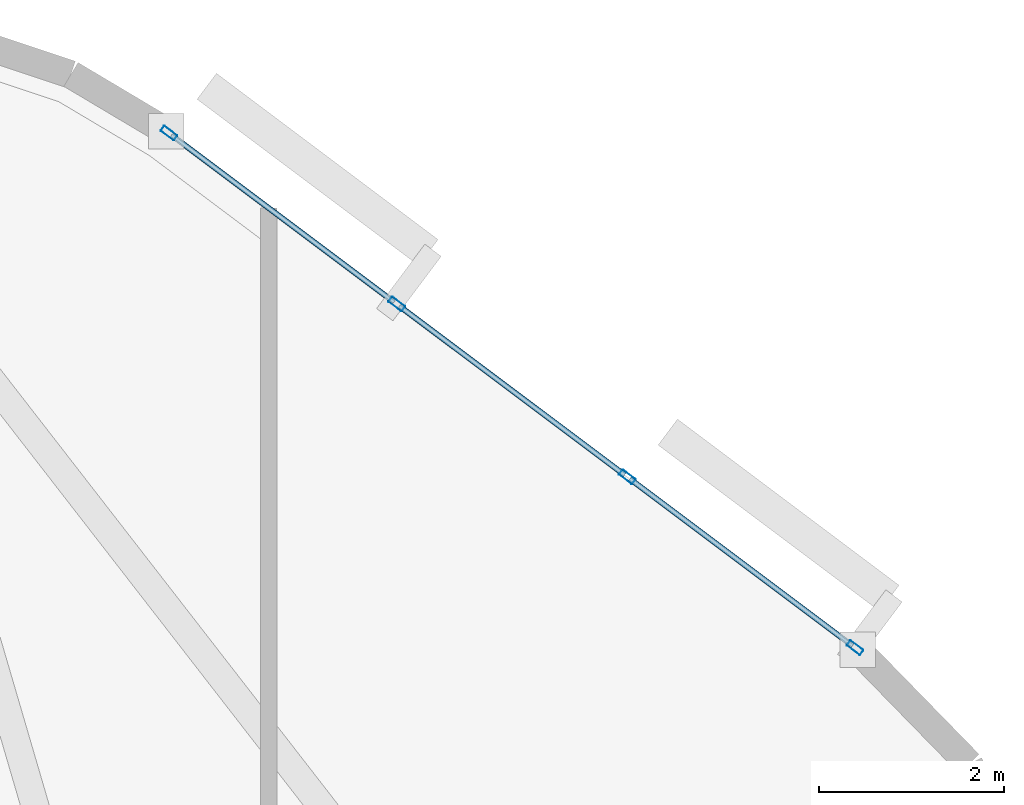
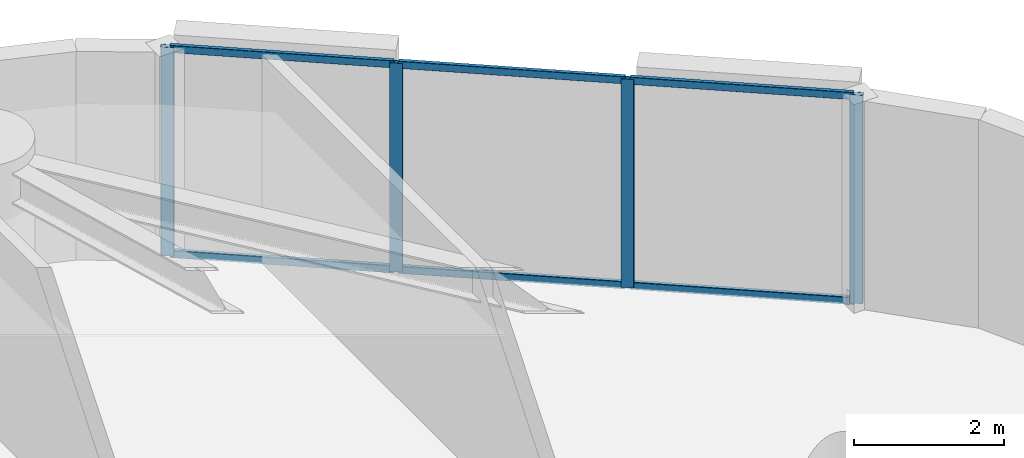
# One storey, part 8 of 16: 10 members, 1 element without a shape of its own.
"""IFC4 building model written with IfcOpenShell, lengths in metres."""

from ifc_helpers import new_model, si_unit, direction, frame, origin, origin_2d, place, context, subcontext, project, spatial, hollow_rectangle, extrude, material, layer, layer_set, material_profile, profile_set, type_object, element, aggregate, save


model = new_model("IFC4")

# Units and contexts
model_context = context("Model", 3, precision=1e-05, world=origin(), true_north=direction((0.0, 1.0)))
body_context = subcontext(model_context, "Body", "Model", "MODEL_VIEW")
ifc_project = project(units=[si_unit("LENGTHUNIT", "METRE"), si_unit("AREAUNIT", "SQUARE_METRE"), si_unit("VOLUMEUNIT", "CUBIC_METRE"), si_unit("PLANEANGLEUNIT", "RADIAN"), si_unit("MASSUNIT", "GRAM", prefix="KILO")], contexts=[model_context])

# Site, building, storey
site_placement = place(None, origin())
site = spatial("IfcSite", under=ifc_project, at=site_placement, CompositionType="ELEMENT")
building_placement = place(site_placement, origin())
building = spatial("IfcBuilding", under=site, at=building_placement, Name="An Khanh Terracotta Commons", CompositionType="ELEMENT")
storey_placement = place(building_placement, frame((0.0, 0.0, 111.5)))
storey = spatial("IfcBuildingStorey", under=building, at=storey_placement, Name="L29", CompositionType="ELEMENT", Elevation=111.5)

# Curtain wall, members
ifc_material = material(Name="Anodised Aluminium 6063-T6", Category="aluminium")
ifc_layer = layer(ifc_material, 0.199951171875, Name="Anodised Aluminium 6063-T6")
ifc_layer_set = layer_set([ifc_layer], Name="Anodised Aluminium 6063-T6")
curtain_wall_type = type_object("IfcCurtainWallType", Name="CW-SYS-02", PredefinedType="USERDEFINED", material=ifc_layer_set)
curtain_wall_placement = place(storey_placement, origin())
curtain_wall = element("IfcCurtainWall", 1, at=curtain_wall_placement, inside=storey, type_object=curtain_wall_type, Name="L29 CW-02 Unitised Curtain Wall CW-L29-16", ObjectType="UNITISED CURTAIN WALL", PredefinedType="USERDEFINED")
ifc_material_profile_1 = material_profile(ifc_material, hollow_rectangle(XDim=0.070068359375, YDim=0.179931640625, WallThickness=0.00390625, InnerFilletRadius=0.00390625, OuterFilletRadius=0.008056640625, at=origin_2d()), Name="RHS180x70x4")
ifc_profile_set_1 = profile_set([ifc_material_profile_1], Name="Anodised Aluminium 6063-T6")
member_type_1 = type_object("IfcMemberType", Name="CWM-RHS180x70x4", PredefinedType="MULLION", material=ifc_profile_set_1)
member_1_placement = place(storey_placement, frame((55.132080078125, 37.10107421875, 0.0), z_axis=(0.0, 0.0, 1.0), x_axis=(-0.599982857492, -0.800012856594, 0.0)))
member_1 = element("IfcMember", 2, at=member_1_placement, type_object=member_type_1, Name="CW-02 mullion 1", PredefinedType="MULLION", context=body_context, shape_type="SweptSolid", body=[
    extrude(hollow_rectangle(XDim=0.070068359375, YDim=0.179931640625, WallThickness=0.00390625, InnerFilletRadius=0.00390625, OuterFilletRadius=0.008056640625, at=origin_2d()), origin(), (0.0, 0.0, 1.0), 3.39990234375),
])
member_2_placement = place(storey_placement, frame((52.6708984375, 38.94677734375, 0.0), z_axis=(0.0, 0.0, 1.0), x_axis=(-0.599982857492, -0.800012856594, 0.0)))
member_2 = element("IfcMember", 3, at=member_2_placement, type_object=member_type_1, Name="CW-02 mullion 2", PredefinedType="MULLION", context=body_context, shape_type="SweptSolid", body=[
    extrude(hollow_rectangle(XDim=0.070068359375, YDim=0.179931640625, WallThickness=0.00390625, InnerFilletRadius=0.00390625, OuterFilletRadius=0.008056640625, at=origin_2d()), origin(), (0.0, 0.0, 1.0), 3.39990234375),
])
member_3_placement = place(storey_placement, frame((50.181884765625, 40.813232421875, 0.0), z_axis=(0.0, 0.0, 1.0), x_axis=(-0.599982857492, -0.800012856594, 0.0)))
member_3 = element("IfcMember", 4, at=member_3_placement, type_object=member_type_1, Name="CW-02 mullion 3", PredefinedType="MULLION", context=body_context, shape_type="SweptSolid", body=[
    extrude(hollow_rectangle(XDim=0.070068359375, YDim=0.179931640625, WallThickness=0.00390625, InnerFilletRadius=0.00390625, OuterFilletRadius=0.008056640625, at=origin_2d()), origin(), (0.0, 0.0, 1.0), 3.39990234375),
])
member_4_placement = place(storey_placement, frame((47.720947265625, 42.658935546875, 0.0), z_axis=(0.0, 0.0, 1.0), x_axis=(-0.599982857492, -0.800012856594, 0.0)))
member_4 = element("IfcMember", 5, at=member_4_placement, type_object=member_type_1, Name="CW-02 mullion 4", PredefinedType="MULLION", context=body_context, shape_type="SweptSolid", body=[
    extrude(hollow_rectangle(XDim=0.070068359375, YDim=0.179931640625, WallThickness=0.00390625, InnerFilletRadius=0.00390625, OuterFilletRadius=0.008056640625, at=origin_2d()), origin(), (0.0, 0.0, 1.0), 3.39990234375),
])
ifc_material_profile_2 = material_profile(ifc_material, hollow_rectangle(XDim=0.06005859375, YDim=0.1201171875, WallThickness=0.003662109375, InnerFilletRadius=0.003662109375, OuterFilletRadius=0.007080078125, at=origin_2d()), Name="RHS120x60x3.6")
ifc_profile_set_2 = profile_set([ifc_material_profile_2], Name="Anodised Aluminium 6063-T6")
member_type_2 = type_object("IfcMemberType", Name="CWT-RHS120x60x3.6", PredefinedType="USERDEFINED", material=ifc_profile_set_2)
member_5_placement = place(storey_placement, frame((55.10400390625, 37.1220703125, 0.030029296875), z_axis=(-0.800009745217, 0.599987006158, 0.0), x_axis=(-0.599987006158, -0.800009745217, 0.0)))
member_5 = element("IfcMember", 6, at=member_5_placement, type_object=member_type_2, Name="CW-02 transom 1.1", ObjectType="TRANSOM", PredefinedType="USERDEFINED", context=body_context, shape_type="SweptSolid", body=[
    extrude(hollow_rectangle(XDim=0.06005859375, YDim=0.1201171875, WallThickness=0.003662109375, InnerFilletRadius=0.003662109375, OuterFilletRadius=0.007080078125, at=origin_2d()), origin(), (0.0, 0.0, 1.0), 3.00634765625),
])
member_6_placement = place(storey_placement, frame((55.10400390625, 37.1220703125, 3.3701171875), z_axis=(-0.800009745217, 0.599987006158, 0.0), x_axis=(-0.599987006158, -0.800009745217, 0.0)))
member_6 = element("IfcMember", 7, at=member_6_placement, type_object=member_type_2, Name="CW-02 transom 1.2", ObjectType="TRANSOM", PredefinedType="USERDEFINED", context=body_context, shape_type="SweptSolid", body=[
    extrude(hollow_rectangle(XDim=0.06005859375, YDim=0.1201171875, WallThickness=0.003662109375, InnerFilletRadius=0.003662109375, OuterFilletRadius=0.007080078125, at=origin_2d()), origin(), (0.0, 0.0, 1.0), 3.00634765625),
])
member_7_placement = place(storey_placement, frame((52.64306640625, 38.9677734375, 0.030029296875), z_axis=(-0.800057796972, 0.599922929638, 0.0), x_axis=(-0.599922929638, -0.800057796972, 0.0)))
member_7 = element("IfcMember", 8, at=member_7_placement, type_object=member_type_2, Name="CW-02 transom 2.1", ObjectType="TRANSOM", PredefinedType="USERDEFINED", context=body_context, shape_type="SweptSolid", body=[
    extrude(hollow_rectangle(XDim=0.06005859375, YDim=0.1201171875, WallThickness=0.003662109375, InnerFilletRadius=0.003662109375, OuterFilletRadius=0.007080078125, at=origin_2d()), origin(), (0.0, 0.0, 1.0), 3.041259765625),
])
member_8_placement = place(storey_placement, frame((52.64306640625, 38.9677734375, 3.3701171875), z_axis=(-0.800057796972, 0.599922929638, 0.0), x_axis=(-0.599922929638, -0.800057796972, 0.0)))
member_8 = element("IfcMember", 9, at=member_8_placement, type_object=member_type_2, Name="CW-02 transom 2.2", ObjectType="TRANSOM", PredefinedType="USERDEFINED", context=body_context, shape_type="SweptSolid", body=[
    extrude(hollow_rectangle(XDim=0.06005859375, YDim=0.1201171875, WallThickness=0.003662109375, InnerFilletRadius=0.003662109375, OuterFilletRadius=0.007080078125, at=origin_2d()), origin(), (0.0, 0.0, 1.0), 3.041259765625),
])
member_9_placement = place(storey_placement, frame((50.154052734375, 40.834228515625, 0.030029296875), z_axis=(-0.800009745217, 0.599987006158, 0.0), x_axis=(-0.599987006158, -0.800009745217, 0.0)))
member_9 = element("IfcMember", 10, at=member_9_placement, type_object=member_type_2, Name="CW-02 transom 3.1", ObjectType="TRANSOM", PredefinedType="USERDEFINED", context=body_context, shape_type="SweptSolid", body=[
    extrude(hollow_rectangle(XDim=0.06005859375, YDim=0.1201171875, WallThickness=0.003662109375, InnerFilletRadius=0.003662109375, OuterFilletRadius=0.007080078125, at=origin_2d()), origin(), (0.0, 0.0, 1.0), 3.00634765625),
])
member_10_placement = place(storey_placement, frame((50.154052734375, 40.834228515625, 3.3701171875), z_axis=(-0.800009745217, 0.599987006158, 0.0), x_axis=(-0.599987006158, -0.800009745217, 0.0)))
member_10 = element("IfcMember", 11, at=member_10_placement, type_object=member_type_2, Name="CW-02 transom 3.2", ObjectType="TRANSOM", PredefinedType="USERDEFINED", context=body_context, shape_type="SweptSolid", body=[
    extrude(hollow_rectangle(XDim=0.06005859375, YDim=0.1201171875, WallThickness=0.003662109375, InnerFilletRadius=0.003662109375, OuterFilletRadius=0.007080078125, at=origin_2d()), origin(), (0.0, 0.0, 1.0), 3.00634765625),
])
aggregate(curtain_wall, [member_1, member_2, member_3, member_4, member_5, member_6, member_7, member_8, member_9, member_10])

save(model, "model.ifc")
